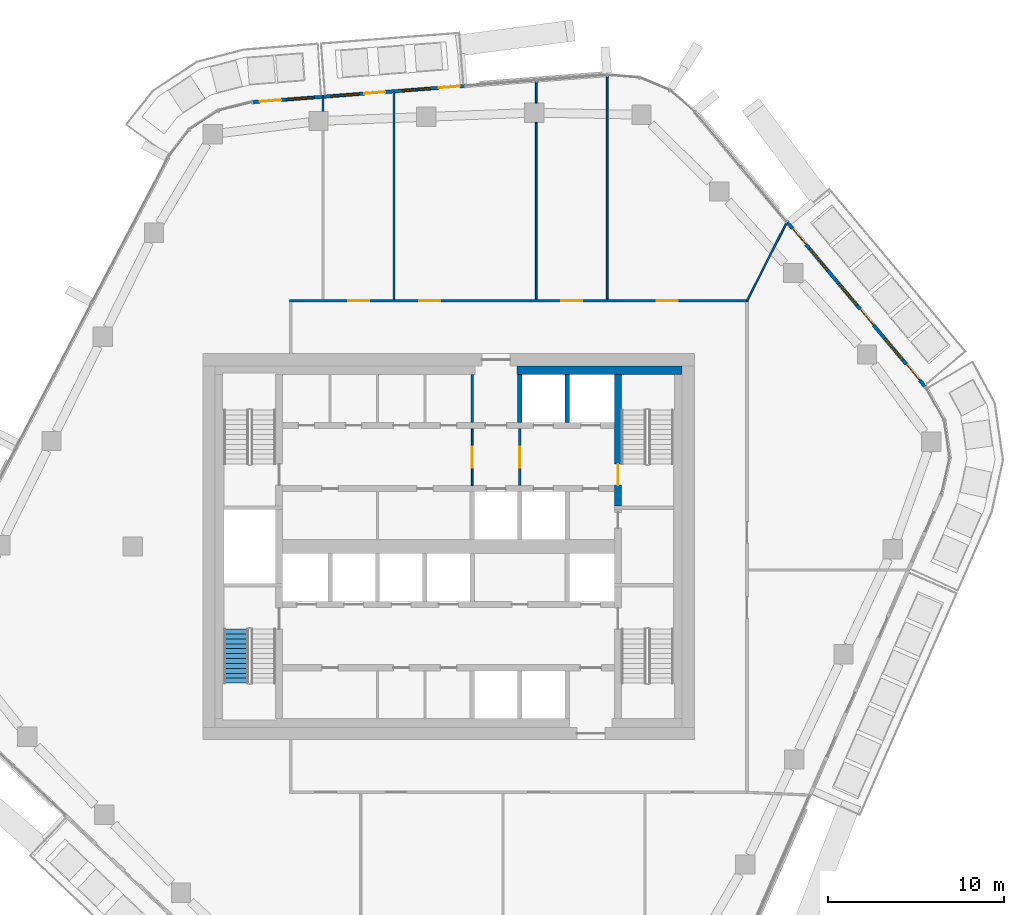
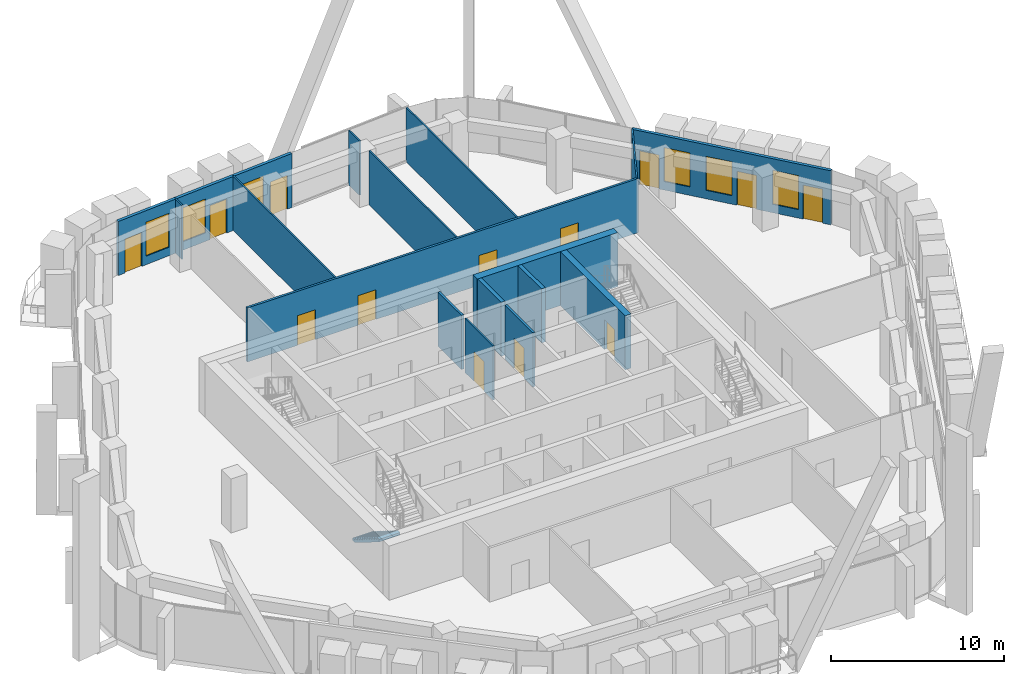
# One storey, part 13 of 20: 17 walls, 13 doors, 6 windows, 1 stair flight, 19 openings, 1 element without a shape of its own.
"""IFC4 building model written with IfcOpenShell, lengths in metres."""

from ifc_helpers import new_model, si_unit, direction, frame, frame_2d, origin, place, context, subcontext, project, spatial, polyline, rectangle, outline, extrude, material, layer, layer_set, type_object, element, fill, aggregate, save


model = new_model("IFC4")

# Units and contexts
model_context = context("Model", 3, precision=1e-05, world=origin(), true_north=direction((0.0, 1.0)))
body_context = subcontext(model_context, "Body", "Model", "MODEL_VIEW")
ifc_project = project(units=[si_unit("LENGTHUNIT", "METRE"), si_unit("AREAUNIT", "SQUARE_METRE"), si_unit("VOLUMEUNIT", "CUBIC_METRE"), si_unit("PLANEANGLEUNIT", "RADIAN"), si_unit("MASSUNIT", "GRAM", prefix="KILO")], contexts=[model_context])

# Site, building, storey
site_placement = place(None, origin())
site = spatial("IfcSite", under=ifc_project, at=site_placement, CompositionType="ELEMENT")
building_placement = place(site_placement, origin())
building = spatial("IfcBuilding", under=site, at=building_placement, Name="Dongbaek Canopy Tower", CompositionType="ELEMENT")
storey_placement = place(building_placement, frame((0.0, 0.0, 241.199951171875)))
storey = spatial("IfcBuildingStorey", under=building, at=storey_placement, Name="L50", CompositionType="ELEMENT", Elevation=241.199951171875)

# Wall
ifc_material_1 = material(Name="Concrete C60/75", Category="concrete")
ifc_layer_1 = layer(ifc_material_1, 0.5)
ifc_layer_set_1 = layer_set([ifc_layer_1], Name="Core wall lining 500 Concrete C60/75")
wall_type_1 = type_object("IfcWallType", Name="Core wall lining 500 Concrete C60/75", PredefinedType="SHEAR", material=ifc_layer_set_1)
wall_1_placement = place(storey_placement, frame((3.89990234375, 10.050048828125, 0.0), z_axis=(0.0, 0.0, 1.0), x_axis=(1.0, 0.0, 0.0)))
element("IfcWall", 1, at=wall_1_placement, inside=storey, type_object=wall_type_1, Name="Core wall lining", PredefinedType="SHEAR", context=body_context, shape_type="SweptSolid", body=[
    extrude(rectangle(XDim=9.400146484375, YDim=0.5, at=frame_2d((4.7001953125, 0.0))), origin(), (0.0, 0.0, 1.0), 3.820068359375),
])

# Wall, openings, doors
ifc_material_2 = material(Name="Gypsum board partition, steel stud, 2 x 15 mm fire board", Category="steel")
ifc_layer_2 = layer(ifc_material_2, 0.14990234375)
ifc_layer_set_2 = layer_set([ifc_layer_2], Name="Fire-rated partition 150 gypsum board")
wall_type_2 = type_object("IfcWallType", Name="Fire-rated partition 150 gypsum board", PredefinedType="PARTITIONING", material=ifc_layer_set_2)
wall_2_placement = place(storey_placement, frame((-9.074951171875, 14.0, 0.0), z_axis=(0.0, 0.0, 1.0), x_axis=(1.0, 0.0, 0.0)))
wall_2 = element("IfcWall", 2, at=wall_2_placement, inside=storey, type_object=wall_type_2, Name="Corridor partition", PredefinedType="PARTITIONING", context=body_context, shape_type="SweptSolid", body=[
    extrude(rectangle(XDim=26.14990234375, YDim=0.14990234375, at=frame_2d((13.074951171875, 0.0))), origin(), (0.0, 0.0, 1.0), 3.820068359375),
])
opening_1_placement = place(wall_2_placement, frame((20.93408203125, 0.0, 0.0)))
opening_1 = element("IfcOpeningElement", 3, at=opening_1_placement, cuts=wall_2, Name="Opening L50-D007", PredefinedType="OPENING", context=body_context, shape_type="SweptSolid", body=[
    extrude(rectangle(XDim=1.199951171875, YDim=2.10009765625, at=frame_2d((0.60009765625, 1.050048828125))), frame((0.0, 0.0849609375, 0.0), z_axis=(0.0, -1.0, 0.0), x_axis=(1.0, 0.0, 0.0)), (0.0, 0.0, 1.0), 0.169921875),
])
opening_2_placement = place(wall_2_placement, frame((15.48974609375, 0.0, 0.0)))
opening_2 = element("IfcOpeningElement", 4, at=opening_2_placement, cuts=wall_2, Name="Opening L50-D008", PredefinedType="OPENING", context=body_context, shape_type="SweptSolid", body=[
    extrude(rectangle(XDim=1.199951171875, YDim=2.10009765625, at=frame_2d((0.60009765625, 1.050048828125))), frame((0.0, 0.0849609375, 0.0), z_axis=(0.0, -1.0, 0.0), x_axis=(1.0, 0.0, 0.0)), (0.0, 0.0, 1.0), 0.169921875),
])
opening_3_placement = place(wall_2_placement, frame((7.3955078125, 0.0, 0.0)))
opening_3 = element("IfcOpeningElement", 5, at=opening_3_placement, cuts=wall_2, Name="Opening L50-D009", PredefinedType="OPENING", context=body_context, shape_type="SweptSolid", body=[
    extrude(rectangle(XDim=1.199951171875, YDim=2.10009765625, at=frame_2d((0.60009765625, 1.050048828125))), frame((0.0, 0.0849609375, 0.0), z_axis=(0.0, -1.0, 0.0), x_axis=(1.0, 0.0, 0.0)), (0.0, 0.0, 1.0), 0.169921875),
])
opening_4_placement = place(wall_2_placement, frame((3.346435546875, 0.0, 0.0)))
opening_4 = element("IfcOpeningElement", 6, at=opening_4_placement, cuts=wall_2, Name="Opening L50-D010", PredefinedType="OPENING", context=body_context, shape_type="SweptSolid", body=[
    extrude(rectangle(XDim=1.199951171875, YDim=2.10009765625, at=frame_2d((0.60009765625, 1.050048828125))), frame((0.0, 0.0849609375, 0.0), z_axis=(0.0, -1.0, 0.0), x_axis=(1.0, 0.0, 0.0)), (0.0, 0.0, 1.0), 0.169921875),
])
ifc_material_3 = material(Name="Timber veneered door leaf", Category="wood")
door_type_1 = type_object("IfcDoorType", Name="Room door 1200 x 2100", OperationType="SINGLE_SWING_LEFT", PredefinedType="DOOR", material=ifc_material_3)
door_1_placement = place(opening_1_placement, origin())
door_1 = element("IfcDoor", 7, at=door_1_placement, inside=storey, type_object=door_type_1, Name="Door L50-D007", OperationType="SINGLE_SWING_RIGHT", OverallHeight=2.10009765625, OverallWidth=1.199951171875, PredefinedType="DOOR", context=body_context, shape_type="SweptSolid", body=[
    extrude(rectangle(XDim=1.199951171875, YDim=2.10009765625, at=frame_2d((0.60009765625, 1.050048828125))), frame((0.0, 0.02490234375, 0.0), z_axis=(0.0, -1.0, 0.0), x_axis=(1.0, 0.0, 0.0)), (0.0, 0.0, 1.0), 0.050048828125),
])
fill(opening_1, door_1)
door_2_placement = place(opening_2_placement, origin())
door_2 = element("IfcDoor", 8, at=door_2_placement, inside=storey, type_object=door_type_1, Name="Door L50-D008", OperationType="SINGLE_SWING_LEFT", OverallHeight=2.10009765625, OverallWidth=1.199951171875, PredefinedType="DOOR", context=body_context, shape_type="SweptSolid", body=[
    extrude(rectangle(XDim=1.199951171875, YDim=2.10009765625, at=frame_2d((0.60009765625, 1.050048828125))), frame((0.0, 0.02490234375, 0.0), z_axis=(0.0, -1.0, 0.0), x_axis=(1.0, 0.0, 0.0)), (0.0, 0.0, 1.0), 0.050048828125),
])
fill(opening_2, door_2)
door_3_placement = place(opening_3_placement, origin())
door_3 = element("IfcDoor", 9, at=door_3_placement, inside=storey, type_object=door_type_1, Name="Door L50-D009", OperationType="SINGLE_SWING_RIGHT", OverallHeight=2.10009765625, OverallWidth=1.199951171875, PredefinedType="DOOR", context=body_context, shape_type="SweptSolid", body=[
    extrude(rectangle(XDim=1.199951171875, YDim=2.10009765625, at=frame_2d((0.60009765625, 1.050048828125))), frame((0.0, 0.02490234375, 0.0), z_axis=(0.0, -1.0, 0.0), x_axis=(1.0, 0.0, 0.0)), (0.0, 0.0, 1.0), 0.050048828125),
])
fill(opening_3, door_3)
door_4_placement = place(opening_4_placement, origin())
door_4 = element("IfcDoor", 10, at=door_4_placement, inside=storey, type_object=door_type_1, Name="Door L50-D010", OperationType="SINGLE_SWING_LEFT", OverallHeight=2.10009765625, OverallWidth=1.199951171875, PredefinedType="DOOR", context=body_context, shape_type="SweptSolid", body=[
    extrude(rectangle(XDim=1.199951171875, YDim=2.10009765625, at=frame_2d((0.60009765625, 1.050048828125))), frame((0.0, 0.02490234375, 0.0), z_axis=(0.0, -1.0, 0.0), x_axis=(1.0, 0.0, 0.0)), (0.0, 0.0, 1.0), 0.050048828125),
])
fill(opening_4, door_4)

# Wall, opening, door
wall_3_placement = place(storey_placement, frame((4.050048828125, 6.72509765625, 0.0), z_axis=(0.0, 0.0, 1.0), x_axis=(0.0, -1.0, 0.0)))
wall_3 = element("IfcWall", 11, at=wall_3_placement, inside=storey, type_object=wall_type_2, Name="Fire lobby partition", PredefinedType="PARTITIONING", context=body_context, shape_type="SweptSolid", body=[
    extrude(rectangle(XDim=3.25, YDim=0.14990234375, at=frame_2d((1.625, 0.0))), origin(), (0.0, 0.0, 1.0), 3.820068359375),
])
opening_5_placement = place(wall_3_placement, frame((1.02490234375, 0.0, 0.0)))
opening_5 = element("IfcOpeningElement", 12, at=opening_5_placement, cuts=wall_3, Name="Opening L50-D041", PredefinedType="OPENING", context=body_context, shape_type="SweptSolid", body=[
    extrude(rectangle(XDim=1.199951171875, YDim=2.10009765625, at=frame_2d((0.60009765625, 1.050048828125))), frame((0.0, 0.0849609375, 0.0), z_axis=(0.0, -1.0, 0.0), x_axis=(1.0, 0.0, 0.0)), (0.0, 0.0, 1.0), 0.169921875),
])
ifc_material_4 = material(Name="Steel", Category="steel")
door_type_2 = type_object("IfcDoorType", Name="Fire lobby door 1200 x 2100", OperationType="SINGLE_SWING_LEFT", PredefinedType="DOOR", material=ifc_material_4)
door_5_placement = place(opening_5_placement, origin())
door_5 = element("IfcDoor", 13, at=door_5_placement, inside=storey, type_object=door_type_2, Name="Door L50-D041", OperationType="SINGLE_SWING_RIGHT", OverallHeight=2.10009765625, OverallWidth=1.199951171875, PredefinedType="DOOR", context=body_context, shape_type="SweptSolid", body=[
    extrude(rectangle(XDim=1.199951171875, YDim=2.10009765625, at=frame_2d((0.60009765625, 1.050048828125))), frame((0.0, 0.02490234375, 0.0), z_axis=(0.0, -1.0, 0.0), x_axis=(1.0, 0.0, 0.0)), (0.0, 0.0, 1.0), 0.050048828125),
])
fill(opening_5, door_5)

# Walls
wall_4_placement = place(storey_placement, frame((1.35009765625, 7.074951171875, 0.0), z_axis=(0.0, 0.0, 1.0), x_axis=(0.0, 1.0, 0.0)))
element("IfcWall", 14, at=wall_4_placement, inside=storey, type_object=wall_type_2, Name="Fire lobby partition", PredefinedType="PARTITIONING", context=body_context, shape_type="SweptSolid", body=[
    extrude(rectangle(XDim=2.72509765625, YDim=0.14990234375, at=frame_2d((1.362548828125, 0.0))), origin(), (0.0, 0.0, 1.0), 3.820068359375),
])
ifc_material_5 = material(Name="Concrete C40/50", Category="concrete")
ifc_layer_3 = layer(ifc_material_5, 0.25)
ifc_layer_set_3 = layer_set([ifc_layer_3], Name="Lift shaft wall 250 Concrete C40/50")
wall_type_3 = type_object("IfcWallType", Name="Lift shaft wall 250 Concrete C40/50", PredefinedType="SOLIDWALL", material=ifc_layer_set_3)
for number, where, z_axis, x_axis, name in (
    (15, (6.75, 7.074951171875, 0.0), (0.0, 0.0, 1.0), (0.0, 1.0, 0.0), "Lift shaft wall"),
    (16, (4.050048828125, 7.074951171875, 0.0), (0.0, 0.0, 1.0), (0.0, 1.0, 0.0), "Lift shaft wall"),
):
    element("IfcWall", number, at=place(storey_placement, frame(where, z_axis=z_axis, x_axis=x_axis)), inside=storey, type_object=wall_type_3, Name=name, PredefinedType="SOLIDWALL", context=body_context, shape_type="SweptSolid", body=[
        extrude(rectangle(XDim=2.72509765625, YDim=0.25, at=frame_2d((1.362548828125, 0.0))), origin(), (0.0, 0.0, 1.0), 3.820068359375),
    ])
ifc_material_6 = material(Name="Gypsum board partition, steel stud, 2 x 12.5 mm board", Category="steel")
ifc_layer_4 = layer(ifc_material_6, 0.10009765625)
ifc_layer_set_4 = layer_set([ifc_layer_4], Name="Partition 100 gypsum board")
wall_type_4 = type_object("IfcWallType", Name="Partition 100 gypsum board", PredefinedType="PARTITIONING", material=ifc_layer_set_4)
wall_5_placement = place(storey_placement, frame((17.0, 14.0, 0.0), z_axis=(0.0, 0.0, 1.0), x_axis=(0.451643796449, 0.892198341811, 0.0)))
element("IfcWall", 17, at=wall_5_placement, inside=storey, type_object=wall_type_4, Name="Partition", PredefinedType="PARTITIONING", context=body_context, shape_type="SweptSolid", body=[
    extrude(rectangle(XDim=5.01953125, YDim=0.10009765625, at=frame_2d((2.509765625, 0.0))), origin(), (0.0, 0.0, 1.0), 3.820068359375),
])
wall_6_placement = place(storey_placement, frame((9.034912109375, 14.074951171875, 0.0), z_axis=(0.0, 0.0, 1.0), x_axis=(0.0, 1.0, 0.0)))
element("IfcWall", 18, at=wall_6_placement, inside=storey, type_object=wall_type_4, Name="Partition", PredefinedType="PARTITIONING", context=body_context, shape_type="SweptSolid", body=[
    extrude(rectangle(XDim=12.770751953125, YDim=0.10009765625, at=frame_2d((6.38525390625, 0.0))), origin(), (0.0, 0.0, 1.0), 3.820068359375),
])
wall_7_placement = place(storey_placement, frame((4.993896484375, 14.074951171875, 0.0), z_axis=(0.0, 0.0, 1.0), x_axis=(0.0, 1.0, 0.0)))
element("IfcWall", 19, at=wall_7_placement, inside=storey, type_object=wall_type_4, Name="Partition", PredefinedType="PARTITIONING", context=body_context, shape_type="SweptSolid", body=[
    extrude(rectangle(XDim=10.089111328125, YDim=0.10009765625, at=frame_2d((5.04443359375, 0.0))), origin(), (0.0, 0.0, 1.0), 3.820068359375),
])
wall_8_placement = place(storey_placement, frame((4.993896484375, 25.263916015625, 0.0), z_axis=(0.0, 0.0, 1.0), x_axis=(0.0, 1.0, 0.0)))
element("IfcWall", 20, at=wall_8_placement, inside=storey, type_object=wall_type_4, Name="Partition", PredefinedType="PARTITIONING", context=body_context, shape_type="SweptSolid", body=[
    extrude(rectangle(XDim=1.271728515625, YDim=0.10009765625, at=frame_2d((0.6357421875, 0.0))), origin(), (0.0, 0.0, 1.0), 3.820068359375),
])
wall_9_placement = place(storey_placement, frame((-3.10400390625, 14.074951171875, 0.0), z_axis=(0.0, 0.0, 1.0), x_axis=(0.0, 1.0, 0.0)))
element("IfcWall", 21, at=wall_9_placement, inside=storey, type_object=wall_type_4, Name="Partition", PredefinedType="PARTITIONING", context=body_context, shape_type="SweptSolid", body=[
    extrude(rectangle(XDim=11.83935546875, YDim=0.10009765625, at=frame_2d((5.919677734375, 0.0))), origin(), (0.0, 0.0, 1.0), 3.820068359375),
])
wall_10_placement = place(storey_placement, frame((-7.153076171875, 24.79296875, 0.0), z_axis=(0.0, 0.0, 1.0), x_axis=(0.0, 1.0, 0.0)))
element("IfcWall", 22, at=wall_10_placement, inside=storey, type_object=wall_type_4, Name="Partition", PredefinedType="PARTITIONING", context=body_context, shape_type="SweptSolid", body=[
    extrude(rectangle(XDim=0.810546875, YDim=0.10009765625, at=frame_2d((0.4052734375, 0.0))), origin(), (0.0, 0.0, 1.0), 3.820068359375),
])

# Wall, opening, door
wall_11_placement = place(storey_placement, frame((1.35009765625, 6.72509765625, 0.0), z_axis=(0.0, 0.0, 1.0), x_axis=(0.0, -1.0, 0.0)))
wall_11 = element("IfcWall", 23, at=wall_11_placement, inside=storey, type_object=wall_type_4, Name="Core partition", PredefinedType="PARTITIONING", context=body_context, shape_type="SweptSolid", body=[
    extrude(rectangle(XDim=3.25, YDim=0.10009765625, at=frame_2d((1.625, 0.0))), origin(), (0.0, 0.0, 1.0), 3.820068359375),
])
opening_6_placement = place(wall_11_placement, frame((1.02490234375, 0.0, 0.0)))
opening_6 = element("IfcOpeningElement", 24, at=opening_6_placement, cuts=wall_11, Name="Opening L50-D040", PredefinedType="OPENING", context=body_context, shape_type="SweptSolid", body=[
    extrude(rectangle(XDim=1.199951171875, YDim=2.10009765625, at=frame_2d((0.60009765625, 1.050048828125))), frame((0.0, 0.06005859375, 0.0), z_axis=(0.0, -1.0, 0.0), x_axis=(1.0, 0.0, 0.0)), (0.0, 0.0, 1.0), 0.1201171875),
])
door_6_placement = place(opening_6_placement, origin())
door_6 = element("IfcDoor", 25, at=door_6_placement, inside=storey, type_object=door_type_2, Name="Door L50-D040", OperationType="SINGLE_SWING_LEFT", OverallHeight=2.10009765625, OverallWidth=1.199951171875, PredefinedType="DOOR", context=body_context, shape_type="SweptSolid", body=[
    extrude(rectangle(XDim=1.199951171875, YDim=2.10009765625, at=frame_2d((0.60009765625, 1.050048828125))), frame((0.0, 0.02490234375, 0.0), z_axis=(0.0, -1.0, 0.0), x_axis=(1.0, 0.0, 0.0)), (0.0, 0.0, 1.0), 0.050048828125),
])
fill(opening_6, door_6)

ifc_material_7 = material(Name="Concrete C60/75", Category="concrete")
ifc_layer_5 = layer(ifc_material_7, 0.39990234375)
ifc_layer_set_5 = layer_set([ifc_layer_5], Name="Stair wall 400 Concrete C60/75")
wall_type_5 = type_object("IfcWallType", Name="Stair wall 400 Concrete C60/75", PredefinedType="SHEAR", material=ifc_layer_set_5)
wall_12_placement = place(storey_placement, frame((9.64990234375, 9.800048828125, 0.0), z_axis=(0.0, 0.0, 1.0), x_axis=(0.0, -1.0, 0.0)))
wall_12 = element("IfcWall", 26, at=wall_12_placement, inside=storey, type_object=wall_type_5, Name="Stair wall", PredefinedType="SHEAR", context=body_context, shape_type="SweptSolid", body=[
    extrude(rectangle(XDim=7.5, YDim=0.39990234375, at=frame_2d((3.75, 0.0))), origin(), (0.0, 0.0, 1.0), 3.820068359375),
])
opening_7_placement = place(wall_12_placement, frame((5.10009765625, 0.0, 0.0)))
opening_7 = element("IfcOpeningElement", 27, at=opening_7_placement, cuts=wall_12, Name="Opening L50-D036", PredefinedType="OPENING", context=body_context, shape_type="SweptSolid", body=[
    extrude(rectangle(XDim=1.199951171875, YDim=2.10009765625, at=frame_2d((0.60009765625, 1.050048828125))), frame((0.0, 0.2099609375, 0.0), z_axis=(0.0, -1.0, 0.0), x_axis=(1.0, 0.0, 0.0)), (0.0, 0.0, 1.0), 0.419921875),
])
ifc_material_8 = material(Name="Steel", Category="steel")
door_type_3 = type_object("IfcDoorType", Name="Stair door 1200 x 2100", OperationType="SINGLE_SWING_LEFT", PredefinedType="DOOR", material=ifc_material_8)
door_7_placement = place(opening_7_placement, origin())
door_7 = element("IfcDoor", 28, at=door_7_placement, inside=storey, type_object=door_type_3, Name="Stair A door", OperationType="SINGLE_SWING_LEFT", OverallHeight=2.10009765625, OverallWidth=1.199951171875, PredefinedType="DOOR", context=body_context, shape_type="SweptSolid", body=[
    extrude(rectangle(XDim=1.199951171875, YDim=2.10009765625, at=frame_2d((0.60009765625, 1.050048828125))), frame((0.0, 0.02490234375, 0.0), z_axis=(0.0, -1.0, 0.0), x_axis=(1.0, 0.0, 0.0)), (0.0, 0.0, 1.0), 0.050048828125),
])
fill(opening_7, door_7)

# Wall, openings, doors, windows
ifc_material_9 = material(Name="Aluminium window wall", Category="aluminium")
ifc_layer_6 = layer(ifc_material_9, 0.199951171875)
ifc_layer_set_6 = layer_set([ifc_layer_6], Name="Window wall 200")
wall_type_6 = type_object("IfcWallType", Name="Window wall 200", PredefinedType="SOLIDWALL", material=ifc_layer_set_6)
wall_13_placement = place(storey_placement, frame((27.162109375, 9.0908203125, 0.0), z_axis=(0.0, 0.0, 1.0), x_axis=(-0.642398297857, 0.766370946025, 0.0)))
wall_13 = element("IfcWall", 29, at=wall_13_placement, inside=storey, type_object=wall_type_6, Name="Window wall L50 1", PredefinedType="SOLIDWALL", context=body_context, shape_type="SweptSolid", body=[
    extrude(rectangle(XDim=12.274658203125, YDim=0.199951171875, at=frame_2d((6.13720703125, 0.0))), origin(), (0.0, 0.0, 1.0), 3.820068359375),
])
opening_8_placement = place(wall_13_placement, frame((2.0, 0.0, 0.60009765625)))
opening_8 = element("IfcOpeningElement", 30, at=opening_8_placement, cuts=wall_13, Name="Opening W1", PredefinedType="OPENING", context=body_context, shape_type="SweptSolid", body=[
    extrude(rectangle(XDim=1.60009765625, YDim=2.39990234375, at=frame_2d((0.800048828125, 1.199951171875))), frame((0.0, 0.10986328125, 0.0), z_axis=(0.0, -1.0, 0.0), x_axis=(1.0, 0.0, 0.0)), (0.0, 0.0, 1.0), 0.219970703125),
])
opening_9_placement = place(wall_13_placement, frame((0.5, 0.0, 0.0)))
opening_9 = element("IfcOpeningElement", 31, at=opening_9_placement, cuts=wall_13, Name="Opening L50-B01", PredefinedType="OPENING", context=body_context, shape_type="SweptSolid", body=[
    extrude(rectangle(XDim=1.199951171875, YDim=2.39990234375, at=frame_2d((0.60009765625, 1.199951171875))), frame((0.0, 0.10986328125, 0.0), z_axis=(0.0, -1.0, 0.0), x_axis=(1.0, 0.0, 0.0)), (0.0, 0.0, 1.0), 0.219970703125),
])
opening_10_placement = place(wall_13_placement, frame((6.091552734375, 0.0, 0.60009765625)))
opening_10 = element("IfcOpeningElement", 32, at=opening_10_placement, cuts=wall_13, Name="Opening W1", PredefinedType="OPENING", context=body_context, shape_type="SweptSolid", body=[
    extrude(rectangle(XDim=1.60009765625, YDim=2.39990234375, at=frame_2d((0.800048828125, 1.199951171875))), frame((0.0, 0.10986328125, 0.0), z_axis=(0.0, -1.0, 0.0), x_axis=(1.0, 0.0, 0.0)), (0.0, 0.0, 1.0), 0.219970703125),
])
opening_11_placement = place(wall_13_placement, frame((4.591552734375, 0.0, 0.0)))
opening_11 = element("IfcOpeningElement", 33, at=opening_11_placement, cuts=wall_13, Name="Opening L50-B02", PredefinedType="OPENING", context=body_context, shape_type="SweptSolid", body=[
    extrude(rectangle(XDim=1.199951171875, YDim=2.39990234375, at=frame_2d((0.60009765625, 1.199951171875))), frame((0.0, 0.10986328125, 0.0), z_axis=(0.0, -1.0, 0.0), x_axis=(1.0, 0.0, 0.0)), (0.0, 0.0, 1.0), 0.219970703125),
])
opening_12_placement = place(wall_13_placement, frame((8.68310546875, 0.0, 0.60009765625)))
opening_12 = element("IfcOpeningElement", 34, at=opening_12_placement, cuts=wall_13, Name="Opening W1", PredefinedType="OPENING", context=body_context, shape_type="SweptSolid", body=[
    extrude(rectangle(XDim=1.60009765625, YDim=2.39990234375, at=frame_2d((0.800048828125, 1.199951171875))), frame((0.0, 0.10986328125, 0.0), z_axis=(0.0, -1.0, 0.0), x_axis=(1.0, 0.0, 0.0)), (0.0, 0.0, 1.0), 0.219970703125),
])
opening_13_placement = place(wall_13_placement, frame((10.5830078125, 0.0, 0.0)))
opening_13 = element("IfcOpeningElement", 35, at=opening_13_placement, cuts=wall_13, Name="Opening L50-B03", PredefinedType="OPENING", context=body_context, shape_type="SweptSolid", body=[
    extrude(rectangle(XDim=1.199951171875, YDim=2.39990234375, at=frame_2d((0.60009765625, 1.199951171875))), frame((0.0, 0.10986328125, 0.0), z_axis=(0.0, -1.0, 0.0), x_axis=(1.0, 0.0, 0.0)), (0.0, 0.0, 1.0), 0.219970703125),
])
ifc_material_10 = material(Name="Clear glazing in aluminium frame", Category="aluminium")
door_type_4 = type_object("IfcDoorType", Name="Balcony door BD1 1200 x 2400", OperationType="SLIDING_TO_LEFT", PredefinedType="DOOR", material=ifc_material_10)
door_8_placement = place(opening_9_placement, origin())
door_8 = element("IfcDoor", 36, at=door_8_placement, inside=storey, type_object=door_type_4, Name="Balcony door L50-B01", OperationType="SLIDING_TO_LEFT", OverallHeight=2.39990234375, OverallWidth=1.199951171875, PredefinedType="DOOR", context=body_context, shape_type="SweptSolid", body=[
    extrude(rectangle(XDim=1.199951171875, YDim=2.39990234375, at=frame_2d((0.60009765625, 1.199951171875))), frame((0.0, 0.02490234375, 0.0), z_axis=(0.0, -1.0, 0.0), x_axis=(1.0, 0.0, 0.0)), (0.0, 0.0, 1.0), 0.050048828125),
])
fill(opening_9, door_8)
door_9_placement = place(opening_11_placement, origin())
door_9 = element("IfcDoor", 37, at=door_9_placement, inside=storey, type_object=door_type_4, Name="Balcony door L50-B02", OperationType="SLIDING_TO_LEFT", OverallHeight=2.39990234375, OverallWidth=1.199951171875, PredefinedType="DOOR", context=body_context, shape_type="SweptSolid", body=[
    extrude(rectangle(XDim=1.199951171875, YDim=2.39990234375, at=frame_2d((0.60009765625, 1.199951171875))), frame((0.0, 0.02490234375, 0.0), z_axis=(0.0, -1.0, 0.0), x_axis=(1.0, 0.0, 0.0)), (0.0, 0.0, 1.0), 0.050048828125),
])
fill(opening_11, door_9)
door_10_placement = place(opening_13_placement, origin())
door_10 = element("IfcDoor", 38, at=door_10_placement, inside=storey, type_object=door_type_4, Name="Balcony door L50-B03", OperationType="SLIDING_TO_LEFT", OverallHeight=2.39990234375, OverallWidth=1.199951171875, PredefinedType="DOOR", context=body_context, shape_type="SweptSolid", body=[
    extrude(rectangle(XDim=1.199951171875, YDim=2.39990234375, at=frame_2d((0.60009765625, 1.199951171875))), frame((0.0, 0.02490234375, 0.0), z_axis=(0.0, -1.0, 0.0), x_axis=(1.0, 0.0, 0.0)), (0.0, 0.0, 1.0), 0.050048828125),
])
fill(opening_13, door_10)
ifc_material_11 = material(Name="Clear glazing in aluminium frame", Category="aluminium")
window_type = type_object("IfcWindowType", Name="Window W1 1600 x 2400", PartitioningType="SINGLE_PANEL", PredefinedType="WINDOW", material=ifc_material_11)
window_1_placement = place(opening_8_placement, origin())
window_1 = element("IfcWindow", 39, at=window_1_placement, inside=storey, type_object=window_type, Name="Window L50 1.1", OverallHeight=2.39990234375, OverallWidth=1.60009765625, PartitioningType="SINGLE_PANEL", PredefinedType="WINDOW", context=body_context, shape_type="SweptSolid", body=[
    extrude(rectangle(XDim=1.60009765625, YDim=2.39990234375, at=frame_2d((0.800048828125, 1.199951171875))), frame((0.0, 0.030029296875, 0.0), z_axis=(0.0, -1.0, 0.0), x_axis=(1.0, 0.0, 0.0)), (0.0, 0.0, 1.0), 0.06005859375),
])
fill(opening_8, window_1)
window_2_placement = place(opening_10_placement, origin())
window_2 = element("IfcWindow", 40, at=window_2_placement, inside=storey, type_object=window_type, Name="Window L50 1.2", OverallHeight=2.39990234375, OverallWidth=1.60009765625, PartitioningType="SINGLE_PANEL", PredefinedType="WINDOW", context=body_context, shape_type="SweptSolid", body=[
    extrude(rectangle(XDim=1.60009765625, YDim=2.39990234375, at=frame_2d((0.800048828125, 1.199951171875))), frame((0.0, 0.030029296875, 0.0), z_axis=(0.0, -1.0, 0.0), x_axis=(1.0, 0.0, 0.0)), (0.0, 0.0, 1.0), 0.06005859375),
])
fill(opening_10, window_2)
window_3_placement = place(opening_12_placement, origin())
window_3 = element("IfcWindow", 41, at=window_3_placement, inside=storey, type_object=window_type, Name="Window L50 1.3", OverallHeight=2.39990234375, OverallWidth=1.60009765625, PartitioningType="SINGLE_PANEL", PredefinedType="WINDOW", context=body_context, shape_type="SweptSolid", body=[
    extrude(rectangle(XDim=1.60009765625, YDim=2.39990234375, at=frame_2d((0.800048828125, 1.199951171875))), frame((0.0, 0.030029296875, 0.0), z_axis=(0.0, -1.0, 0.0), x_axis=(1.0, 0.0, 0.0)), (0.0, 0.0, 1.0), 0.06005859375),
])
fill(opening_12, window_3)

wall_14_placement = place(storey_placement, frame((0.945068359375, 26.244873046875, 0.0), z_axis=(0.0, 0.0, 1.0), x_axis=(-0.997069496045, -0.076501111469, 0.0)))
wall_14 = element("IfcWall", 42, at=wall_14_placement, inside=storey, type_object=wall_type_6, Name="Window wall L50 2", PredefinedType="SOLIDWALL", context=body_context, shape_type="SweptSolid", body=[
    extrude(rectangle(XDim=8.121826171875, YDim=0.199951171875, at=frame_2d((4.06103515625, 0.0))), origin(), (0.0, 0.0, 1.0), 3.820068359375),
])
opening_14_placement = place(wall_14_placement, frame((2.0, 0.0, 0.60009765625)))
opening_14 = element("IfcOpeningElement", 43, at=opening_14_placement, cuts=wall_14, Name="Opening W1", PredefinedType="OPENING", context=body_context, shape_type="SweptSolid", body=[
    extrude(rectangle(XDim=1.60009765625, YDim=2.39990234375, at=frame_2d((0.800048828125, 1.199951171875))), frame((0.0, 0.10986328125, 0.0), z_axis=(0.0, -1.0, 0.0), x_axis=(1.0, 0.0, 0.0)), (0.0, 0.0, 1.0), 0.219970703125),
])
opening_15_placement = place(wall_14_placement, frame((0.300048828125, 0.0, 0.0)))
opening_15 = element("IfcOpeningElement", 44, at=opening_15_placement, cuts=wall_14, Name="Opening L50-B04", PredefinedType="OPENING", context=body_context, shape_type="SweptSolid", body=[
    extrude(rectangle(XDim=1.199951171875, YDim=2.39990234375, at=frame_2d((0.60009765625, 1.199951171875))), frame((0.0, 0.10986328125, 0.0), z_axis=(0.0, -1.0, 0.0), x_axis=(1.0, 0.0, 0.0)), (0.0, 0.0, 1.0), 0.219970703125),
])
opening_16_placement = place(wall_14_placement, frame((6.06103515625, 0.0, 0.60009765625)))
opening_16 = element("IfcOpeningElement", 45, at=opening_16_placement, cuts=wall_14, Name="Opening W1", PredefinedType="OPENING", context=body_context, shape_type="SweptSolid", body=[
    extrude(rectangle(XDim=1.60009765625, YDim=2.39990234375, at=frame_2d((0.800048828125, 1.199951171875))), frame((0.0, 0.10986328125, 0.0), z_axis=(0.0, -1.0, 0.0), x_axis=(1.0, 0.0, 0.0)), (0.0, 0.0, 1.0), 0.219970703125),
])
opening_17_placement = place(wall_14_placement, frame((4.56103515625, 0.0, 0.0)))
opening_17 = element("IfcOpeningElement", 46, at=opening_17_placement, cuts=wall_14, Name="Opening L50-B05", PredefinedType="OPENING", context=body_context, shape_type="SweptSolid", body=[
    extrude(rectangle(XDim=1.199951171875, YDim=2.39990234375, at=frame_2d((0.60009765625, 1.199951171875))), frame((0.0, 0.10986328125, 0.0), z_axis=(0.0, -1.0, 0.0), x_axis=(1.0, 0.0, 0.0)), (0.0, 0.0, 1.0), 0.219970703125),
])
door_11_placement = place(opening_15_placement, origin())
door_11 = element("IfcDoor", 47, at=door_11_placement, inside=storey, type_object=door_type_4, Name="Balcony door L50-B04", OperationType="SLIDING_TO_LEFT", OverallHeight=2.39990234375, OverallWidth=1.199951171875, PredefinedType="DOOR", context=body_context, shape_type="SweptSolid", body=[
    extrude(rectangle(XDim=1.199951171875, YDim=2.39990234375, at=frame_2d((0.60009765625, 1.199951171875))), frame((0.0, 0.02490234375, 0.0), z_axis=(0.0, -1.0, 0.0), x_axis=(1.0, 0.0, 0.0)), (0.0, 0.0, 1.0), 0.050048828125),
])
fill(opening_15, door_11)
door_12_placement = place(opening_17_placement, origin())
door_12 = element("IfcDoor", 48, at=door_12_placement, inside=storey, type_object=door_type_4, Name="Balcony door L50-B05", OperationType="SLIDING_TO_LEFT", OverallHeight=2.39990234375, OverallWidth=1.199951171875, PredefinedType="DOOR", context=body_context, shape_type="SweptSolid", body=[
    extrude(rectangle(XDim=1.199951171875, YDim=2.39990234375, at=frame_2d((0.60009765625, 1.199951171875))), frame((0.0, 0.02490234375, 0.0), z_axis=(0.0, -1.0, 0.0), x_axis=(1.0, 0.0, 0.0)), (0.0, 0.0, 1.0), 0.050048828125),
])
fill(opening_17, door_12)
window_4_placement = place(opening_14_placement, origin())
window_4 = element("IfcWindow", 49, at=window_4_placement, inside=storey, type_object=window_type, Name="Window L50 2.1", OverallHeight=2.39990234375, OverallWidth=1.60009765625, PartitioningType="SINGLE_PANEL", PredefinedType="WINDOW", context=body_context, shape_type="SweptSolid", body=[
    extrude(rectangle(XDim=1.60009765625, YDim=2.39990234375, at=frame_2d((0.800048828125, 1.199951171875))), frame((0.0, 0.030029296875, 0.0), z_axis=(0.0, -1.0, 0.0), x_axis=(1.0, 0.0, 0.0)), (0.0, 0.0, 1.0), 0.06005859375),
])
fill(opening_14, window_4)
window_5_placement = place(opening_16_placement, origin())
window_5 = element("IfcWindow", 50, at=window_5_placement, inside=storey, type_object=window_type, Name="Window L50 2.2", OverallHeight=2.39990234375, OverallWidth=1.60009765625, PartitioningType="SINGLE_PANEL", PredefinedType="WINDOW", context=body_context, shape_type="SweptSolid", body=[
    extrude(rectangle(XDim=1.60009765625, YDim=2.39990234375, at=frame_2d((0.800048828125, 1.199951171875))), frame((0.0, 0.030029296875, 0.0), z_axis=(0.0, -1.0, 0.0), x_axis=(1.0, 0.0, 0.0)), (0.0, 0.0, 1.0), 0.06005859375),
])
fill(opening_16, window_5)

# Wall, openings, door, window
wall_15_placement = place(storey_placement, frame((-7.153076171875, 25.62353515625, 0.0), z_axis=(0.0, 0.0, 1.0), x_axis=(-0.997068643963, -0.076512216183, 0.0)))
wall_15 = element("IfcWall", 51, at=wall_15_placement, inside=storey, type_object=wall_type_6, Name="Window wall L50 7", PredefinedType="SOLIDWALL", context=body_context, shape_type="SweptSolid", body=[
    extrude(rectangle(XDim=4.052490234375, YDim=0.199951171875, at=frame_2d((2.0263671875, 0.0))), origin(), (0.0, 0.0, 1.0), 3.820068359375),
])
opening_18_placement = place(wall_15_placement, frame((0.5, 0.0, 0.60009765625)))
opening_18 = element("IfcOpeningElement", 52, at=opening_18_placement, cuts=wall_15, Name="Opening W1", PredefinedType="OPENING", context=body_context, shape_type="SweptSolid", body=[
    extrude(rectangle(XDim=1.60009765625, YDim=2.39990234375, at=frame_2d((0.800048828125, 1.199951171875))), frame((0.0, 0.10986328125, 0.0), z_axis=(0.0, -1.0, 0.0), x_axis=(1.0, 0.0, 0.0)), (0.0, 0.0, 1.0), 0.219970703125),
])
opening_19_placement = place(wall_15_placement, frame((2.39990234375, 0.0, 0.0)))
opening_19 = element("IfcOpeningElement", 53, at=opening_19_placement, cuts=wall_15, Name="Opening L50-B06", PredefinedType="OPENING", context=body_context, shape_type="SweptSolid", body=[
    extrude(rectangle(XDim=1.199951171875, YDim=2.39990234375, at=frame_2d((0.60009765625, 1.199951171875))), frame((0.0, 0.10986328125, 0.0), z_axis=(0.0, -1.0, 0.0), x_axis=(1.0, 0.0, 0.0)), (0.0, 0.0, 1.0), 0.219970703125),
])
door_13_placement = place(opening_19_placement, origin())
door_13 = element("IfcDoor", 54, at=door_13_placement, inside=storey, type_object=door_type_4, Name="Balcony door L50-B06", OperationType="SLIDING_TO_LEFT", OverallHeight=2.39990234375, OverallWidth=1.199951171875, PredefinedType="DOOR", context=body_context, shape_type="SweptSolid", body=[
    extrude(rectangle(XDim=1.199951171875, YDim=2.39990234375, at=frame_2d((0.60009765625, 1.199951171875))), frame((0.0, 0.02490234375, 0.0), z_axis=(0.0, -1.0, 0.0), x_axis=(1.0, 0.0, 0.0)), (0.0, 0.0, 1.0), 0.050048828125),
])
fill(opening_19, door_13)
window_6_placement = place(opening_18_placement, origin())
window_6 = element("IfcWindow", 55, at=window_6_placement, inside=storey, type_object=window_type, Name="Window L50 7.1", OverallHeight=2.39990234375, OverallWidth=1.60009765625, PartitioningType="SINGLE_PANEL", PredefinedType="WINDOW", context=body_context, shape_type="SweptSolid", body=[
    extrude(rectangle(XDim=1.60009765625, YDim=2.39990234375, at=frame_2d((0.800048828125, 1.199951171875))), frame((0.0, 0.030029296875, 0.0), z_axis=(0.0, -1.0, 0.0), x_axis=(1.0, 0.0, 0.0)), (0.0, 0.0, 1.0), 0.06005859375),
])
fill(opening_18, window_6)

# Stair, stair flight
ifc_material_12 = material(Name="Concrete C40/50", Category="concrete")
stair_type = type_object("IfcStairType", Name="Core exit stair", PredefinedType="HALF_TURN_STAIR", material=ifc_material_12)
stair_placement = place(storey_placement, origin())
stair = element("IfcStair", 56, at=stair_placement, inside=storey, type_object=stair_type, Name="L50 exit stair D", PredefinedType="HALF_TURN_STAIR")
ifc_material_13 = material(Name="Concrete C40/50", Category="concrete")
ifc_layer_7 = layer(ifc_material_13, 0.14990234375)
ifc_layer_set_7 = layer_set([ifc_layer_7], Name="Core stair flight 150 waist")
stair_flight_type = type_object("IfcStairFlightType", Name="Core stair flight 150 waist", PredefinedType="STRAIGHT", material=ifc_layer_set_7)
stair_flight_placement = place(storey_placement, frame((-12.10009765625, -4.699951171875, 0.0), z_axis=(0.0, 0.0, 1.0), x_axis=(0.0, -1.0, 0.0)))
stair_flight = element("IfcStairFlight", 57, at=stair_flight_placement, type_object=stair_flight_type, Name="ST-D flight 1", NumberOfRisers=12, NumberOfTreads=11, PredefinedType="STRAIGHT", RiserHeight=0.175, TreadLength=0.28, context=body_context, shape_type="SweptSolid", body=[
    extrude(outline(polyline([(0.0, 0.0), (0.0, 0.175048828125), (0.280029296875, 0.175048828125), (0.280029296875, 0.35009765625), (0.56005859375, 0.35009765625), (0.56005859375, 0.52490234375), (0.840087890625, 0.52490234375), (0.840087890625, 0.699951171875), (1.1201171875, 0.699951171875), (1.1201171875, 0.875), (1.39990234375, 0.875), (1.39990234375, 1.050048828125), (1.679931640625, 1.050048828125), (1.679931640625, 1.22509765625), (1.9599609375, 1.22509765625), (1.9599609375, 1.39990234375), (2.239990234375, 1.39990234375), (2.239990234375, 1.574951171875), (2.52001953125, 1.574951171875), (2.52001953125, 1.75), (2.800048828125, 1.75), (2.800048828125, 1.925048828125), (3.080078125, 1.925048828125), (3.080078125, 2.10009765625), (3.080078125, 1.748291015625), (0.28271484375, 0.0), (0.0, 0.0)])), frame((0.0, 0.699951171875, 0.0), z_axis=(0.0, -1.0, 0.0), x_axis=(1.0, 0.0, 0.0)), (0.0, 0.0, 1.0), 1.39990234375),
])
aggregate(stair, [stair_flight])

save(model, "model.ifc")
